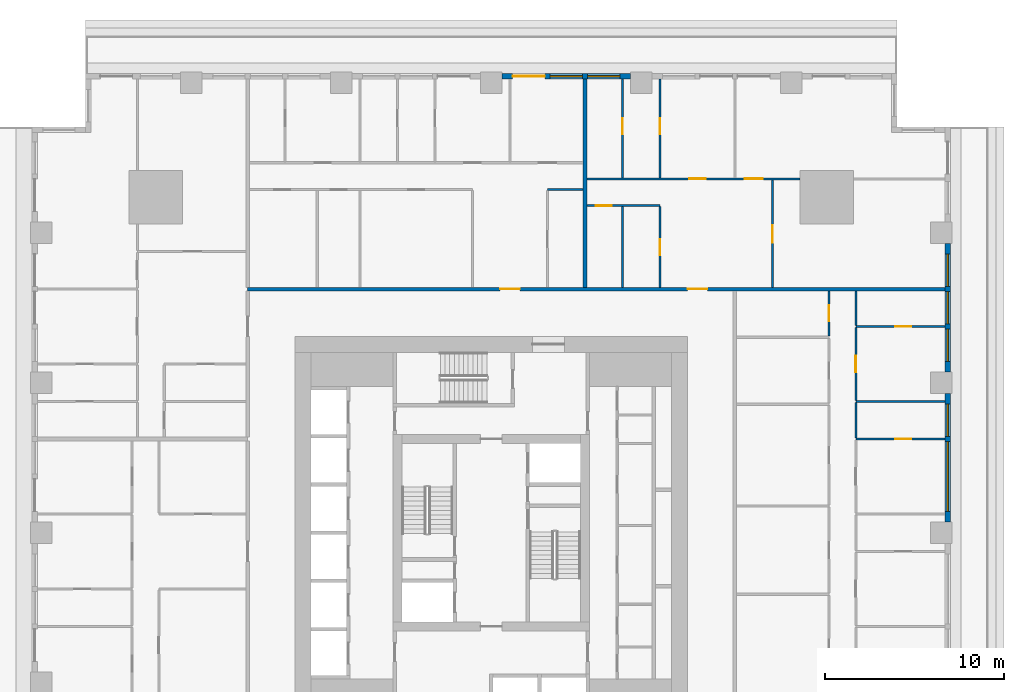
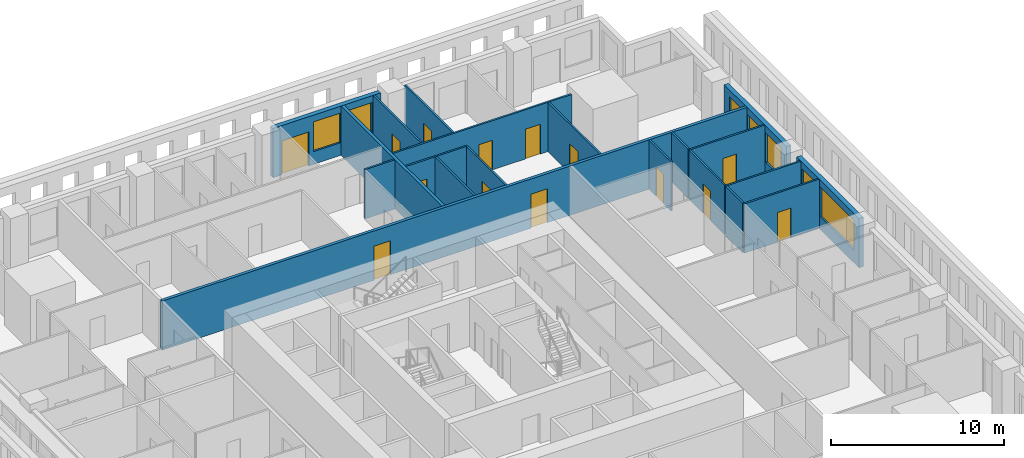
# One storey, part 9 of 15: 20 walls, 14 doors, 7 windows, 21 openings.
"""IFC4 building model written with IfcOpenShell, lengths in metres."""

from ifc_helpers import new_model, si_unit, direction, frame, frame_2d, origin, place, context, subcontext, project, spatial, rectangle, extrude, material, layer, layer_set, type_object, element, fill, save


model = new_model("IFC4")

# Units and contexts
model_context = context("Model", 3, precision=1e-05, world=origin(), true_north=direction((0.0, 1.0)))
body_context = subcontext(model_context, "Body", "Model", "MODEL_VIEW")
ifc_project = project(units=[si_unit("LENGTHUNIT", "METRE"), si_unit("AREAUNIT", "SQUARE_METRE"), si_unit("VOLUMEUNIT", "CUBIC_METRE"), si_unit("PLANEANGLEUNIT", "RADIAN"), si_unit("MASSUNIT", "GRAM", prefix="KILO")], contexts=[model_context])

# Site, building, storey
site_placement = place(None, origin())
site = spatial("IfcSite", under=ifc_project, at=site_placement, CompositionType="ELEMENT")
building_placement = place(site_placement, origin())
building = spatial("IfcBuilding", under=site, at=building_placement, Name="Khepri Terraces", CompositionType="ELEMENT")
storey_placement = place(building_placement, frame((0.0, 0.0, 50.39990234375)))
storey = spatial("IfcBuildingStorey", under=building, at=storey_placement, Name="L11", CompositionType="ELEMENT", Elevation=50.39990234375)

# Wall, openings, doors
ifc_material_1 = material(Name="Fire-rated gypsum plasterboard partition, mineral wool")
ifc_layer_1 = layer(ifc_material_1, 0.199951171875, Name="Fire-rated gypsum plasterboard partition, mineral wool")
ifc_layer_set_1 = layer_set([ifc_layer_1], Name="Fire-rated gypsum plasterboard partition, mineral wool")
wall_type_1 = type_object("IfcWallType", Name="WL-CORR-200", PredefinedType="PARTITIONING", material=ifc_layer_set_1)
wall_1_placement = place(storey_placement, frame((-13.64990234375, 13.64990234375, 0.0), z_axis=(0.0, 0.0, 1.0), x_axis=(1.0, 0.0, 0.0)))
wall_1 = element("IfcWall", 1, at=wall_1_placement, inside=storey, type_object=wall_type_1, Name="Partition P-082 L11", PredefinedType="PARTITIONING", context=body_context, shape_type="SweptSolid", body=[
    extrude(rectangle(XDim=39.06982421875, YDim=0.199951171875, at=frame_2d((19.534912109375, 0.0))), origin(), (0.0, 0.0, 1.0), 3.47998046875),
])
opening_1_placement = place(wall_1_placement, frame((24.64990234375, 0.0, 0.0)))
opening_1 = element("IfcOpeningElement", 2, at=opening_1_placement, cuts=wall_1, Name="Opening D1", PredefinedType="OPENING", context=body_context, shape_type="SweptSolid", body=[
    extrude(rectangle(XDim=1.10009765625, YDim=2.39990234375, at=frame_2d((0.550048828125, 1.199951171875))), frame((0.0, 0.10986328125, 0.0), z_axis=(0.0, -1.0, 0.0), x_axis=(1.0, 0.0, 0.0)), (0.0, 0.0, 1.0), 0.219970703125),
])
opening_2_placement = place(wall_1_placement, frame((14.14990234375, 0.0, 0.0)))
opening_2 = element("IfcOpeningElement", 3, at=opening_2_placement, cuts=wall_1, Name="Opening D1", PredefinedType="OPENING", context=body_context, shape_type="SweptSolid", body=[
    extrude(rectangle(XDim=1.10009765625, YDim=2.39990234375, at=frame_2d((0.550048828125, 1.199951171875))), frame((0.0, 0.10986328125, 0.0), z_axis=(0.0, -1.0, 0.0), x_axis=(1.0, 0.0, 0.0)), (0.0, 0.0, 1.0), 0.219970703125),
])
ifc_material_2 = material(Name="Solid-core timber door leaf, flat entrance door", Category="wood")
door_type_1 = type_object("IfcDoorType", Name="DR-ENT-1100", OperationType="NOTDEFINED", PredefinedType="DOOR", material=ifc_material_2)
door_1_placement = place(opening_1_placement, origin())
door_1 = element("IfcDoor", 4, at=door_1_placement, inside=storey, type_object=door_type_1, Name="Flat C1 entrance door", OperationType="SINGLE_SWING_RIGHT", OverallHeight=2.39990234375, OverallWidth=1.10009765625, PredefinedType="DOOR", context=body_context, shape_type="SweptSolid", body=[
    extrude(rectangle(XDim=1.10009765625, YDim=2.39990234375, at=frame_2d((0.550048828125, 1.199951171875))), frame((0.0, 0.02490234375, 0.0), z_axis=(0.0, -1.0, 0.0), x_axis=(1.0, 0.0, 0.0)), (0.0, 0.0, 1.0), 0.050048828125),
])
fill(opening_1, door_1)
door_2_placement = place(opening_2_placement, origin())
door_2 = element("IfcDoor", 5, at=door_2_placement, inside=storey, type_object=door_type_1, Name="Flat C2 entrance door", OperationType="SINGLE_SWING_LEFT", OverallHeight=2.39990234375, OverallWidth=1.10009765625, PredefinedType="DOOR", context=body_context, shape_type="SweptSolid", body=[
    extrude(rectangle(XDim=1.10009765625, YDim=2.39990234375, at=frame_2d((0.550048828125, 1.199951171875))), frame((0.0, 0.02490234375, 0.0), z_axis=(0.0, -1.0, 0.0), x_axis=(1.0, 0.0, 0.0)), (0.0, 0.0, 1.0), 0.050048828125),
])
fill(opening_2, door_2)

# Wall
wall_2_placement = place(storey_placement, frame((5.25, 13.75, 0.0), z_axis=(0.0, 0.0, 1.0), x_axis=(0.0, 1.0, 0.0)))
element("IfcWall", 6, at=wall_2_placement, inside=storey, type_object=wall_type_1, Name="Partition P-089 L11", PredefinedType="PARTITIONING", context=body_context, shape_type="SweptSolid", body=[
    extrude(rectangle(XDim=11.669921875, YDim=0.199951171875, at=frame_2d((5.8349609375, 0.0))), origin(), (0.0, 0.0, 1.0), 3.47998046875),
])

# Wall, openings, windows
ifc_material_3 = material(Name="Precast concrete C50/60 warm stone", Category="masonry")
ifc_layer_2 = layer(ifc_material_3, 0.300048828125, Name="Precast concrete C50/60 warm stone", Category="masonry")
ifc_layer_set_2 = layer_set([ifc_layer_2], Name="Precast concrete C50/60 warm stone")
wall_type_2 = type_object("IfcWallType", Name="WL-EXT-PRECAST-300", PredefinedType="STANDARD", material=ifc_layer_set_2)
wall_3_placement = place(storey_placement, frame((25.570068359375, 0.60009765625, 0.0), z_axis=(0.0, 0.0, 1.0), x_axis=(0.0, 1.0, 0.0)))
wall_3 = element("IfcWall", 7, at=wall_3_placement, inside=storey, type_object=wall_type_2, Name="External wall L11 E", PredefinedType="STANDARD", context=body_context, shape_type="SweptSolid", body=[
    extrude(rectangle(XDim=7.199951171875, YDim=0.300048828125, at=frame_2d((3.60009765625, 0.0))), origin(), (0.0, 0.0, 1.0), 3.47998046875),
])
opening_3_placement = place(wall_3_placement, frame((0.60009765625, 0.0, 0.89990234375)))
opening_3 = element("IfcOpeningElement", 8, at=opening_3_placement, cuts=wall_3, Name="Opening W2", PredefinedType="OPENING", context=body_context, shape_type="SweptSolid", body=[
    extrude(rectangle(XDim=3.89990234375, YDim=2.10009765625, at=frame_2d((1.949951171875, 1.050048828125))), frame((0.0, 0.16015625, 0.0), z_axis=(0.0, -1.0, 0.0), x_axis=(1.0, 0.0, 0.0)), (0.0, 0.0, 1.0), 0.320068359375),
])
opening_4_placement = place(wall_3_placement, frame((4.800048828125, 0.0, 0.89990234375)))
opening_4 = element("IfcOpeningElement", 9, at=opening_4_placement, cuts=wall_3, Name="Opening W1", PredefinedType="OPENING", context=body_context, shape_type="SweptSolid", body=[
    extrude(rectangle(XDim=1.800048828125, YDim=2.10009765625, at=frame_2d((0.89990234375, 1.050048828125))), frame((0.0, 0.16015625, 0.0), z_axis=(0.0, -1.0, 0.0), x_axis=(1.0, 0.0, 0.0)), (0.0, 0.0, 1.0), 0.320068359375),
])
ifc_material_4 = material(Name="Clear glass", Category="glass")
window_type_1 = type_object("IfcWindowType", Name="WIN-RES-1800x2100", PartitioningType="SINGLE_PANEL", PredefinedType="WINDOW", material=ifc_material_4)
window_1_placement = place(opening_4_placement, origin())
window_1 = element("IfcWindow", 10, at=window_1_placement, inside=storey, type_object=window_type_1, Name="Window L11 E", OverallHeight=2.10009765625, OverallWidth=1.800048828125, PartitioningType="SINGLE_PANEL", PredefinedType="WINDOW", context=body_context, shape_type="SweptSolid", body=[
    extrude(rectangle(XDim=1.800048828125, YDim=2.10009765625, at=frame_2d((0.89990234375, 1.050048828125))), frame((0.0, 0.030029296875, 0.0), z_axis=(0.0, -1.0, 0.0), x_axis=(1.0, 0.0, 0.0)), (0.0, 0.0, 1.0), 0.06005859375),
])
fill(opening_4, window_1)
window_type_2 = type_object("IfcWindowType", Name="WIN-RES-3900x2100", PartitioningType="SINGLE_PANEL", PredefinedType="WINDOW", material=ifc_material_4)
window_2_placement = place(opening_3_placement, origin())
window_2 = element("IfcWindow", 11, at=window_2_placement, inside=storey, type_object=window_type_2, Name="Window L11 E", OverallHeight=2.10009765625, OverallWidth=3.89990234375, PartitioningType="SINGLE_PANEL", PredefinedType="WINDOW", context=body_context, shape_type="SweptSolid", body=[
    extrude(rectangle(XDim=3.89990234375, YDim=2.10009765625, at=frame_2d((1.949951171875, 1.050048828125))), frame((0.0, 0.030029296875, 0.0), z_axis=(0.0, -1.0, 0.0), x_axis=(1.0, 0.0, 0.0)), (0.0, 0.0, 1.0), 0.06005859375),
])
fill(opening_3, window_2)

wall_4_placement = place(storey_placement, frame((25.570068359375, 9.0, 0.0), z_axis=(0.0, 0.0, 1.0), x_axis=(0.0, 1.0, 0.0)))
wall_4 = element("IfcWall", 12, at=wall_4_placement, inside=storey, type_object=wall_type_2, Name="External wall L11 E", PredefinedType="STANDARD", context=body_context, shape_type="SweptSolid", body=[
    extrude(rectangle(XDim=7.199951171875, YDim=0.300048828125, at=frame_2d((3.60009765625, 0.0))), origin(), (0.0, 0.0, 1.0), 3.47998046875),
])
opening_5_placement = place(wall_4_placement, frame((0.60009765625, 0.0, 0.89990234375)))
opening_5 = element("IfcOpeningElement", 13, at=opening_5_placement, cuts=wall_4, Name="Opening W1", PredefinedType="OPENING", context=body_context, shape_type="SweptSolid", body=[
    extrude(rectangle(XDim=1.800048828125, YDim=2.10009765625, at=frame_2d((0.89990234375, 1.050048828125))), frame((0.0, 0.16015625, 0.0), z_axis=(0.0, -1.0, 0.0), x_axis=(1.0, 0.0, 0.0)), (0.0, 0.0, 1.0), 0.320068359375),
])
opening_6_placement = place(wall_4_placement, frame((2.699951171875, 0.0, 0.89990234375)))
opening_6 = element("IfcOpeningElement", 14, at=opening_6_placement, cuts=wall_4, Name="Opening W1", PredefinedType="OPENING", context=body_context, shape_type="SweptSolid", body=[
    extrude(rectangle(XDim=1.800048828125, YDim=2.10009765625, at=frame_2d((0.89990234375, 1.050048828125))), frame((0.0, 0.16015625, 0.0), z_axis=(0.0, -1.0, 0.0), x_axis=(1.0, 0.0, 0.0)), (0.0, 0.0, 1.0), 0.320068359375),
])
opening_7_placement = place(wall_4_placement, frame((4.800048828125, 0.0, 0.89990234375)))
opening_7 = element("IfcOpeningElement", 15, at=opening_7_placement, cuts=wall_4, Name="Opening W1", PredefinedType="OPENING", context=body_context, shape_type="SweptSolid", body=[
    extrude(rectangle(XDim=1.800048828125, YDim=2.10009765625, at=frame_2d((0.89990234375, 1.050048828125))), frame((0.0, 0.16015625, 0.0), z_axis=(0.0, -1.0, 0.0), x_axis=(1.0, 0.0, 0.0)), (0.0, 0.0, 1.0), 0.320068359375),
])
window_3_placement = place(opening_5_placement, origin())
window_3 = element("IfcWindow", 16, at=window_3_placement, inside=storey, type_object=window_type_1, Name="Window L11 E", OverallHeight=2.10009765625, OverallWidth=1.800048828125, PartitioningType="SINGLE_PANEL", PredefinedType="WINDOW", context=body_context, shape_type="SweptSolid", body=[
    extrude(rectangle(XDim=1.800048828125, YDim=2.10009765625, at=frame_2d((0.89990234375, 1.050048828125))), frame((0.0, 0.030029296875, 0.0), z_axis=(0.0, -1.0, 0.0), x_axis=(1.0, 0.0, 0.0)), (0.0, 0.0, 1.0), 0.06005859375),
])
fill(opening_5, window_3)
window_4_placement = place(opening_6_placement, origin())
window_4 = element("IfcWindow", 17, at=window_4_placement, inside=storey, type_object=window_type_1, Name="Window L11 E", OverallHeight=2.10009765625, OverallWidth=1.800048828125, PartitioningType="SINGLE_PANEL", PredefinedType="WINDOW", context=body_context, shape_type="SweptSolid", body=[
    extrude(rectangle(XDim=1.800048828125, YDim=2.10009765625, at=frame_2d((0.89990234375, 1.050048828125))), frame((0.0, 0.030029296875, 0.0), z_axis=(0.0, -1.0, 0.0), x_axis=(1.0, 0.0, 0.0)), (0.0, 0.0, 1.0), 0.06005859375),
])
fill(opening_6, window_4)
window_5_placement = place(opening_7_placement, origin())
window_5 = element("IfcWindow", 18, at=window_5_placement, inside=storey, type_object=window_type_1, Name="Window L11 E", OverallHeight=2.10009765625, OverallWidth=1.800048828125, PartitioningType="SINGLE_PANEL", PredefinedType="WINDOW", context=body_context, shape_type="SweptSolid", body=[
    extrude(rectangle(XDim=1.800048828125, YDim=2.10009765625, at=frame_2d((0.89990234375, 1.050048828125))), frame((0.0, 0.030029296875, 0.0), z_axis=(0.0, -1.0, 0.0), x_axis=(1.0, 0.0, 0.0)), (0.0, 0.0, 1.0), 0.06005859375),
])
fill(opening_7, window_5)

# Wall, openings, door, windows
wall_5_placement = place(storey_placement, frame((7.800048828125, 25.570068359375, 0.0), z_axis=(0.0, 0.0, 1.0), x_axis=(-1.0, 0.0, 0.0)))
wall_5 = element("IfcWall", 19, at=wall_5_placement, inside=storey, type_object=wall_type_2, Name="External wall L11 N", PredefinedType="STANDARD", context=body_context, shape_type="SweptSolid", body=[
    extrude(rectangle(XDim=7.199951171875, YDim=0.300048828125, at=frame_2d((3.60009765625, 0.0))), origin(), (0.0, 0.0, 1.0), 3.47998046875),
])
opening_8_placement = place(wall_5_placement, frame((0.60009765625, 0.0, 0.89990234375)))
opening_8 = element("IfcOpeningElement", 20, at=opening_8_placement, cuts=wall_5, Name="Opening W1", PredefinedType="OPENING", context=body_context, shape_type="SweptSolid", body=[
    extrude(rectangle(XDim=1.800048828125, YDim=2.10009765625, at=frame_2d((0.89990234375, 1.050048828125))), frame((0.0, 0.16015625, 0.0), z_axis=(0.0, -1.0, 0.0), x_axis=(1.0, 0.0, 0.0)), (0.0, 0.0, 1.0), 0.320068359375),
])
opening_9_placement = place(wall_5_placement, frame((2.699951171875, 0.0, 0.89990234375)))
opening_9 = element("IfcOpeningElement", 21, at=opening_9_placement, cuts=wall_5, Name="Opening W1", PredefinedType="OPENING", context=body_context, shape_type="SweptSolid", body=[
    extrude(rectangle(XDim=1.800048828125, YDim=2.10009765625, at=frame_2d((0.89990234375, 1.050048828125))), frame((0.0, 0.16015625, 0.0), z_axis=(0.0, -1.0, 0.0), x_axis=(1.0, 0.0, 0.0)), (0.0, 0.0, 1.0), 0.320068359375),
])
opening_10_placement = place(wall_5_placement, frame((4.800048828125, 0.0, 0.0)))
opening_10 = element("IfcOpeningElement", 22, at=opening_10_placement, cuts=wall_5, Name="Opening ED-L11-08", PredefinedType="OPENING", context=body_context, shape_type="SweptSolid", body=[
    extrude(rectangle(XDim=1.800048828125, YDim=2.39990234375, at=frame_2d((0.89990234375, 1.199951171875))), frame((0.0, 0.16015625, 0.0), z_axis=(0.0, -1.0, 0.0), x_axis=(1.0, 0.0, 0.0)), (0.0, 0.0, 1.0), 0.320068359375),
])
ifc_material_5 = material(Name="Anodised aluminium bronze glazed door", Category="aluminium")
door_type_2 = type_object("IfcDoorType", Name="DR-BAL-SLIDE-1800x2400", OperationType="NOTDEFINED", PredefinedType="DOOR", material=ifc_material_5)
door_3_placement = place(opening_10_placement, origin())
door_3 = element("IfcDoor", 23, at=door_3_placement, inside=storey, type_object=door_type_2, Name="Balcony door L11 N", OperationType="SLIDING_TO_RIGHT", OverallHeight=2.39990234375, OverallWidth=1.800048828125, PredefinedType="DOOR", context=body_context, shape_type="SweptSolid", body=[
    extrude(rectangle(XDim=1.800048828125, YDim=2.39990234375, at=frame_2d((0.89990234375, 1.199951171875))), frame((0.0, 0.02490234375, 0.0), z_axis=(0.0, -1.0, 0.0), x_axis=(1.0, 0.0, 0.0)), (0.0, 0.0, 1.0), 0.050048828125),
])
fill(opening_10, door_3)
window_6_placement = place(opening_8_placement, origin())
window_6 = element("IfcWindow", 24, at=window_6_placement, inside=storey, type_object=window_type_1, Name="Window L11 N", OverallHeight=2.10009765625, OverallWidth=1.800048828125, PartitioningType="SINGLE_PANEL", PredefinedType="WINDOW", context=body_context, shape_type="SweptSolid", body=[
    extrude(rectangle(XDim=1.800048828125, YDim=2.10009765625, at=frame_2d((0.89990234375, 1.050048828125))), frame((0.0, 0.030029296875, 0.0), z_axis=(0.0, -1.0, 0.0), x_axis=(1.0, 0.0, 0.0)), (0.0, 0.0, 1.0), 0.06005859375),
])
fill(opening_8, window_6)
window_7_placement = place(opening_9_placement, origin())
window_7 = element("IfcWindow", 25, at=window_7_placement, inside=storey, type_object=window_type_1, Name="Window L11 N", OverallHeight=2.10009765625, OverallWidth=1.800048828125, PartitioningType="SINGLE_PANEL", PredefinedType="WINDOW", context=body_context, shape_type="SweptSolid", body=[
    extrude(rectangle(XDim=1.800048828125, YDim=2.10009765625, at=frame_2d((0.89990234375, 1.050048828125))), frame((0.0, 0.030029296875, 0.0), z_axis=(0.0, -1.0, 0.0), x_axis=(1.0, 0.0, 0.0)), (0.0, 0.0, 1.0), 0.06005859375),
])
fill(opening_9, window_7)

# Wall, opening, door
ifc_material_6 = material(Name="Gypsum plasterboard partition")
ifc_layer_3 = layer(ifc_material_6, 0.1201171875, Name="Gypsum plasterboard partition")
ifc_layer_set_3 = layer_set([ifc_layer_3], Name="Gypsum plasterboard partition")
wall_type_3 = type_object("IfcWallType", Name="WL-PART-120", PredefinedType="PARTITIONING", material=ifc_layer_set_3)
wall_6_placement = place(storey_placement, frame((20.419921875, 5.25, 0.0), z_axis=(0.0, 0.0, 1.0), x_axis=(1.0, 0.0, 0.0)))
wall_6 = element("IfcWall", 26, at=wall_6_placement, inside=storey, type_object=wall_type_3, Name="Partition P-061 L11", PredefinedType="PARTITIONING", context=body_context, shape_type="SweptSolid", body=[
    extrude(rectangle(XDim=5.0, YDim=0.1201171875, at=frame_2d((2.5, 0.0))), origin(), (0.0, 0.0, 1.0), 3.47998046875),
])
opening_11_placement = place(wall_6_placement, frame((2.199951171875, 0.0, 0.0)))
opening_11 = element("IfcOpeningElement", 27, at=opening_11_placement, cuts=wall_6, Name="Opening D4", PredefinedType="OPENING", context=body_context, shape_type="SweptSolid", body=[
    extrude(rectangle(XDim=0.89990234375, YDim=2.10009765625, at=frame_2d((0.449951171875, 1.050048828125))), frame((0.0, 0.070068359375, 0.0), z_axis=(0.0, -1.0, 0.0), x_axis=(1.0, 0.0, 0.0)), (0.0, 0.0, 1.0), 0.14013671875),
])
ifc_material_7 = material(Name="Timber door leaf, moisture resistant", Category="wood")
door_type_3 = type_object("IfcDoorType", Name="DR-WET-900", OperationType="NOTDEFINED", PredefinedType="DOOR", material=ifc_material_7)
door_4_placement = place(opening_11_placement, origin())
door_4 = element("IfcDoor", 28, at=door_4_placement, inside=storey, type_object=door_type_3, Name="Door Bathroom", OperationType="SINGLE_SWING_RIGHT", OverallHeight=2.10009765625, OverallWidth=0.89990234375, PredefinedType="DOOR", context=body_context, shape_type="SweptSolid", body=[
    extrude(rectangle(XDim=0.89990234375, YDim=2.10009765625, at=frame_2d((0.449951171875, 1.050048828125))), frame((0.0, 0.02490234375, 0.0), z_axis=(0.0, -1.0, 0.0), x_axis=(1.0, 0.0, 0.0)), (0.0, 0.0, 1.0), 0.050048828125),
])
fill(opening_11, door_4)

# Walls
wall_7_placement = place(storey_placement, frame((20.419921875, 5.31005859375, 0.0), z_axis=(0.0, 0.0, 1.0), x_axis=(0.0, 1.0, 0.0)))
element("IfcWall", 29, at=wall_7_placement, inside=storey, type_object=wall_type_3, Name="Partition P-062 L11", PredefinedType="PARTITIONING", context=body_context, shape_type="SweptSolid", body=[
    extrude(rectangle(XDim=1.97998046875, YDim=0.1201171875, at=frame_2d((0.989990234375, 0.0))), origin(), (0.0, 0.0, 1.0), 3.47998046875),
])
wall_8_placement = place(storey_placement, frame((20.419921875, 7.35009765625, 0.0), z_axis=(0.0, 0.0, 1.0), x_axis=(1.0, 0.0, 0.0)))
element("IfcWall", 30, at=wall_8_placement, inside=storey, type_object=wall_type_3, Name="Partition P-070 L11", PredefinedType="PARTITIONING", context=body_context, shape_type="SweptSolid", body=[
    extrude(rectangle(XDim=5.0, YDim=0.1201171875, at=frame_2d((2.5, 0.0))), origin(), (0.0, 0.0, 1.0), 3.47998046875),
])

# Wall, opening, door
wall_9_placement = place(storey_placement, frame((20.419921875, 7.409912109375, 0.0), z_axis=(0.0, 0.0, 1.0), x_axis=(0.0, 1.0, 0.0)))
wall_9 = element("IfcWall", 31, at=wall_9_placement, inside=storey, type_object=wall_type_3, Name="Partition P-073 L11", PredefinedType="PARTITIONING", context=body_context, shape_type="SweptSolid", body=[
    extrude(rectangle(XDim=4.080078125, YDim=0.1201171875, at=frame_2d((2.0400390625, 0.0))), origin(), (0.0, 0.0, 1.0), 3.47998046875),
])
opening_12_placement = place(wall_9_placement, frame((1.590087890625, 0.0, 0.0)))
opening_12 = element("IfcOpeningElement", 32, at=opening_12_placement, cuts=wall_9, Name="Opening D3", PredefinedType="OPENING", context=body_context, shape_type="SweptSolid", body=[
    extrude(rectangle(XDim=0.89990234375, YDim=2.10009765625, at=frame_2d((0.449951171875, 1.050048828125))), frame((0.0, 0.070068359375, 0.0), z_axis=(0.0, -1.0, 0.0), x_axis=(1.0, 0.0, 0.0)), (0.0, 0.0, 1.0), 0.14013671875),
])
ifc_material_8 = material(Name="Timber door leaf", Category="wood")
door_type_4 = type_object("IfcDoorType", Name="DR-INT-900", OperationType="NOTDEFINED", PredefinedType="DOOR", material=ifc_material_8)
door_5_placement = place(opening_12_placement, frame((0.89990234375, 0.0, 0.0), z_axis=(0.0, 0.0, 1.0), x_axis=(-1.0, 0.0, 0.0)))
door_5 = element("IfcDoor", 33, at=door_5_placement, inside=storey, type_object=door_type_4, Name="Door Guest Bedroom", OperationType="SINGLE_SWING_RIGHT", OverallHeight=2.10009765625, OverallWidth=0.89990234375, PredefinedType="DOOR", context=body_context, shape_type="SweptSolid", body=[
    extrude(rectangle(XDim=0.89990234375, YDim=2.10009765625, at=frame_2d((0.449951171875, 1.050048828125))), frame((0.0, 0.02490234375, 0.0), z_axis=(0.0, -1.0, 0.0), x_axis=(1.0, 0.0, 0.0)), (0.0, 0.0, 1.0), 0.050048828125),
])
fill(opening_12, door_5)

wall_10_placement = place(storey_placement, frame((18.919921875, 11.010009765625, 0.0), z_axis=(0.0, 0.0, 1.0), x_axis=(0.0, 1.0, 0.0)))
wall_10 = element("IfcWall", 34, at=wall_10_placement, inside=storey, type_object=wall_type_3, Name="Partition P-078 L11", PredefinedType="PARTITIONING", context=body_context, shape_type="SweptSolid", body=[
    extrude(rectangle(XDim=2.5400390625, YDim=0.1201171875, at=frame_2d((1.27001953125, 0.0))), origin(), (0.0, 0.0, 1.0), 3.47998046875),
])
opening_13_placement = place(wall_10_placement, frame((0.840087890625, 0.0, 0.0)))
opening_13 = element("IfcOpeningElement", 35, at=opening_13_placement, cuts=wall_10, Name="Opening D3", PredefinedType="OPENING", context=body_context, shape_type="SweptSolid", body=[
    extrude(rectangle(XDim=0.89990234375, YDim=2.10009765625, at=frame_2d((0.449951171875, 1.050048828125))), frame((0.0, 0.070068359375, 0.0), z_axis=(0.0, -1.0, 0.0), x_axis=(1.0, 0.0, 0.0)), (0.0, 0.0, 1.0), 0.14013671875),
])
door_6_placement = place(opening_13_placement, origin())
door_6 = element("IfcDoor", 36, at=door_6_placement, inside=storey, type_object=door_type_4, Name="Door Utility Room", OperationType="SINGLE_SWING_RIGHT", OverallHeight=2.10009765625, OverallWidth=0.89990234375, PredefinedType="DOOR", context=body_context, shape_type="SweptSolid", body=[
    extrude(rectangle(XDim=0.89990234375, YDim=2.10009765625, at=frame_2d((0.449951171875, 1.050048828125))), frame((0.0, 0.02490234375, 0.0), z_axis=(0.0, -1.0, 0.0), x_axis=(1.0, 0.0, 0.0)), (0.0, 0.0, 1.0), 0.050048828125),
])
fill(opening_13, door_6)

wall_11_placement = place(storey_placement, frame((20.419921875, 11.550048828125, 0.0), z_axis=(0.0, 0.0, 1.0), x_axis=(1.0, 0.0, 0.0)))
wall_11 = element("IfcWall", 37, at=wall_11_placement, inside=storey, type_object=wall_type_3, Name="Partition P-079 L11", PredefinedType="PARTITIONING", context=body_context, shape_type="SweptSolid", body=[
    extrude(rectangle(XDim=5.0, YDim=0.1201171875, at=frame_2d((2.5, 0.0))), origin(), (0.0, 0.0, 1.0), 3.47998046875),
])
opening_14_placement = place(wall_11_placement, frame((2.199951171875, 0.0, 0.0)))
opening_14 = element("IfcOpeningElement", 38, at=opening_14_placement, cuts=wall_11, Name="Opening D4", PredefinedType="OPENING", context=body_context, shape_type="SweptSolid", body=[
    extrude(rectangle(XDim=0.89990234375, YDim=2.10009765625, at=frame_2d((0.449951171875, 1.050048828125))), frame((0.0, 0.070068359375, 0.0), z_axis=(0.0, -1.0, 0.0), x_axis=(1.0, 0.0, 0.0)), (0.0, 0.0, 1.0), 0.14013671875),
])
door_7_placement = place(opening_14_placement, origin())
door_7 = element("IfcDoor", 39, at=door_7_placement, inside=storey, type_object=door_type_3, Name="Door Bathroom", OperationType="SINGLE_SWING_RIGHT", OverallHeight=2.10009765625, OverallWidth=0.89990234375, PredefinedType="DOOR", context=body_context, shape_type="SweptSolid", body=[
    extrude(rectangle(XDim=0.89990234375, YDim=2.10009765625, at=frame_2d((0.449951171875, 1.050048828125))), frame((0.0, 0.02490234375, 0.0), z_axis=(0.0, -1.0, 0.0), x_axis=(1.0, 0.0, 0.0)), (0.0, 0.0, 1.0), 0.050048828125),
])
fill(opening_14, door_7)

# Walls
wall_12_placement = place(storey_placement, frame((20.419921875, 11.610107421875, 0.0), z_axis=(0.0, 0.0, 1.0), x_axis=(0.0, 1.0, 0.0)))
element("IfcWall", 40, at=wall_12_placement, inside=storey, type_object=wall_type_3, Name="Partition P-080 L11", PredefinedType="PARTITIONING", context=body_context, shape_type="SweptSolid", body=[
    extrude(rectangle(XDim=1.93994140625, YDim=0.1201171875, at=frame_2d((0.969970703125, 0.0))), origin(), (0.0, 0.0, 1.0), 3.47998046875),
])
wall_13_placement = place(storey_placement, frame((7.35009765625, 13.75, 0.0), z_axis=(0.0, 0.0, 1.0), x_axis=(0.0, 1.0, 0.0)))
element("IfcWall", 41, at=wall_13_placement, inside=storey, type_object=wall_type_3, Name="Partition P-090 L11", PredefinedType="PARTITIONING", context=body_context, shape_type="SweptSolid", body=[
    extrude(rectangle(XDim=4.510009765625, YDim=0.1201171875, at=frame_2d((2.2548828125, 0.0))), origin(), (0.0, 0.0, 1.0), 3.47998046875),
])

# Wall, opening, door
wall_14_placement = place(storey_placement, frame((9.449951171875, 13.75, 0.0), z_axis=(0.0, 0.0, 1.0), x_axis=(0.0, 1.0, 0.0)))
wall_14 = element("IfcWall", 42, at=wall_14_placement, inside=storey, type_object=wall_type_3, Name="Partition P-091 L11", PredefinedType="PARTITIONING", context=body_context, shape_type="SweptSolid", body=[
    extrude(rectangle(XDim=4.510009765625, YDim=0.1201171875, at=frame_2d((2.2548828125, 0.0))), origin(), (0.0, 0.0, 1.0), 3.47998046875),
])
opening_15_placement = place(wall_14_placement, frame((1.784912109375, 0.0, 0.0)))
opening_15 = element("IfcOpeningElement", 43, at=opening_15_placement, cuts=wall_14, Name="Opening D4", PredefinedType="OPENING", context=body_context, shape_type="SweptSolid", body=[
    extrude(rectangle(XDim=0.89990234375, YDim=2.10009765625, at=frame_2d((0.449951171875, 1.050048828125))), frame((0.0, 0.070068359375, 0.0), z_axis=(0.0, -1.0, 0.0), x_axis=(1.0, 0.0, 0.0)), (0.0, 0.0, 1.0), 0.14013671875),
])
door_8_placement = place(opening_15_placement, origin())
door_8 = element("IfcDoor", 44, at=door_8_placement, inside=storey, type_object=door_type_3, Name="Door Guest Bathroom", OperationType="SINGLE_SWING_LEFT", OverallHeight=2.10009765625, OverallWidth=0.89990234375, PredefinedType="DOOR", context=body_context, shape_type="SweptSolid", body=[
    extrude(rectangle(XDim=0.89990234375, YDim=2.10009765625, at=frame_2d((0.449951171875, 1.050048828125))), frame((0.0, 0.02490234375, 0.0), z_axis=(0.0, -1.0, 0.0), x_axis=(1.0, 0.0, 0.0)), (0.0, 0.0, 1.0), 0.050048828125),
])
fill(opening_15, door_8)

wall_15_placement = place(storey_placement, frame((15.75, 13.75, 0.0), z_axis=(0.0, 0.0, 1.0), x_axis=(0.0, 1.0, 0.0)))
wall_15 = element("IfcWall", 45, at=wall_15_placement, inside=storey, type_object=wall_type_3, Name="Partition P-092 L11", PredefinedType="PARTITIONING", context=body_context, shape_type="SweptSolid", body=[
    extrude(rectangle(XDim=6.010009765625, YDim=0.1201171875, at=frame_2d((3.0048828125, 0.0))), origin(), (0.0, 0.0, 1.0), 3.47998046875),
])
opening_16_placement = place(wall_15_placement, frame((2.485107421875, 0.0, 0.0)))
opening_16 = element("IfcOpeningElement", 46, at=opening_16_placement, cuts=wall_15, Name="Opening D2", PredefinedType="OPENING", context=body_context, shape_type="SweptSolid", body=[
    extrude(rectangle(XDim=1.0, YDim=2.10009765625, at=frame_2d((0.5, 1.050048828125))), frame((0.0, 0.070068359375, 0.0), z_axis=(0.0, -1.0, 0.0), x_axis=(1.0, 0.0, 0.0)), (0.0, 0.0, 1.0), 0.14013671875),
])
ifc_material_9 = material(Name="Timber door leaf, living room door", Category="wood")
door_type_5 = type_object("IfcDoorType", Name="DR-INT-1000", OperationType="NOTDEFINED", PredefinedType="DOOR", material=ifc_material_9)
door_9_placement = place(opening_16_placement, frame((1.0, 0.0, 0.0), z_axis=(0.0, 0.0, 1.0), x_axis=(-1.0, 0.0, 0.0)))
door_9 = element("IfcDoor", 47, at=door_9_placement, inside=storey, type_object=door_type_5, Name="Door Family Room", OperationType="SINGLE_SWING_RIGHT", OverallHeight=2.10009765625, OverallWidth=1.0, PredefinedType="DOOR", context=body_context, shape_type="SweptSolid", body=[
    extrude(rectangle(XDim=1.0, YDim=2.10009765625, at=frame_2d((0.5, 1.050048828125))), frame((0.0, 0.02490234375, 0.0), z_axis=(0.0, -1.0, 0.0), x_axis=(1.0, 0.0, 0.0)), (0.0, 0.0, 1.0), 0.050048828125),
])
fill(opening_16, door_9)

wall_16_placement = place(storey_placement, frame((5.35009765625, 18.320068359375, 0.0), z_axis=(0.0, 0.0, 1.0), x_axis=(1.0, 0.0, 0.0)))
wall_16 = element("IfcWall", 48, at=wall_16_placement, inside=storey, type_object=wall_type_3, Name="Partition P-095 L11", PredefinedType="PARTITIONING", context=body_context, shape_type="SweptSolid", body=[
    extrude(rectangle(XDim=4.099853515625, YDim=0.1201171875, at=frame_2d((2.0498046875, 0.0))), origin(), (0.0, 0.0, 1.0), 3.47998046875),
])
opening_17_placement = place(wall_16_placement, frame((0.5, 0.0, 0.0)))
opening_17 = element("IfcOpeningElement", 49, at=opening_17_placement, cuts=wall_16, Name="Opening D3", PredefinedType="OPENING", context=body_context, shape_type="SweptSolid", body=[
    extrude(rectangle(XDim=0.89990234375, YDim=2.10009765625, at=frame_2d((0.449951171875, 1.050048828125))), frame((0.0, 0.070068359375, 0.0), z_axis=(0.0, -1.0, 0.0), x_axis=(1.0, 0.0, 0.0)), (0.0, 0.0, 1.0), 0.14013671875),
])
door_10_placement = place(opening_17_placement, frame((0.89990234375, 0.0, 0.0), z_axis=(0.0, 0.0, 1.0), x_axis=(-1.0, 0.0, 0.0)))
door_10 = element("IfcDoor", 50, at=door_10_placement, inside=storey, type_object=door_type_4, Name="Door Kitchen", OperationType="SINGLE_SWING_RIGHT", OverallHeight=2.10009765625, OverallWidth=0.89990234375, PredefinedType="DOOR", context=body_context, shape_type="SweptSolid", body=[
    extrude(rectangle(XDim=0.89990234375, YDim=2.10009765625, at=frame_2d((0.449951171875, 1.050048828125))), frame((0.0, 0.02490234375, 0.0), z_axis=(0.0, -1.0, 0.0), x_axis=(1.0, 0.0, 0.0)), (0.0, 0.0, 1.0), 0.050048828125),
])
fill(opening_17, door_10)

# Wall
wall_17_placement = place(storey_placement, frame((3.14990234375, 19.219970703125, 0.0), z_axis=(0.0, 0.0, 1.0), x_axis=(1.0, 0.0, 0.0)))
element("IfcWall", 51, at=wall_17_placement, inside=storey, type_object=wall_type_3, Name="Partition P-097 L11", PredefinedType="PARTITIONING", context=body_context, shape_type="SweptSolid", body=[
    extrude(rectangle(XDim=2.0, YDim=0.1201171875, at=frame_2d((1.0, 0.0))), origin(), (0.0, 0.0, 1.0), 3.47998046875),
])

# Wall, openings, doors
wall_18_placement = place(storey_placement, frame((5.35009765625, 19.820068359375, 0.0), z_axis=(0.0, 0.0, 1.0), x_axis=(1.0, 0.0, 0.0)))
wall_18 = element("IfcWall", 52, at=wall_18_placement, inside=storey, type_object=wall_type_3, Name="Partition P-098 L11", PredefinedType="PARTITIONING", context=body_context, shape_type="SweptSolid", body=[
    extrude(rectangle(XDim=11.949951171875, YDim=0.1201171875, at=frame_2d((5.97509765625, 0.0))), origin(), (0.0, 0.0, 1.0), 3.47998046875),
])
opening_18_placement = place(wall_18_placement, frame((8.85009765625, 0.0, 0.0)))
opening_18 = element("IfcOpeningElement", 53, at=opening_18_placement, cuts=wall_18, Name="Opening D2", PredefinedType="OPENING", context=body_context, shape_type="SweptSolid", body=[
    extrude(rectangle(XDim=1.0, YDim=2.10009765625, at=frame_2d((0.5, 1.050048828125))), frame((0.0, 0.070068359375, 0.0), z_axis=(0.0, -1.0, 0.0), x_axis=(1.0, 0.0, 0.0)), (0.0, 0.0, 1.0), 0.14013671875),
])
opening_19_placement = place(wall_18_placement, frame((5.75, 0.0, 0.0)))
opening_19 = element("IfcOpeningElement", 54, at=opening_19_placement, cuts=wall_18, Name="Opening D3", PredefinedType="OPENING", context=body_context, shape_type="SweptSolid", body=[
    extrude(rectangle(XDim=0.89990234375, YDim=2.10009765625, at=frame_2d((0.449951171875, 1.050048828125))), frame((0.0, 0.070068359375, 0.0), z_axis=(0.0, -1.0, 0.0), x_axis=(1.0, 0.0, 0.0)), (0.0, 0.0, 1.0), 0.14013671875),
])
door_11_placement = place(opening_18_placement, origin())
door_11 = element("IfcDoor", 55, at=door_11_placement, inside=storey, type_object=door_type_5, Name="Door Living Room", OperationType="SINGLE_SWING_RIGHT", OverallHeight=2.10009765625, OverallWidth=1.0, PredefinedType="DOOR", context=body_context, shape_type="SweptSolid", body=[
    extrude(rectangle(XDim=1.0, YDim=2.10009765625, at=frame_2d((0.5, 1.050048828125))), frame((0.0, 0.02490234375, 0.0), z_axis=(0.0, -1.0, 0.0), x_axis=(1.0, 0.0, 0.0)), (0.0, 0.0, 1.0), 0.050048828125),
])
fill(opening_18, door_11)
door_12_placement = place(opening_19_placement, origin())
door_12 = element("IfcDoor", 56, at=door_12_placement, inside=storey, type_object=door_type_4, Name="Door Master Bedroom", OperationType="SINGLE_SWING_RIGHT", OverallHeight=2.10009765625, OverallWidth=0.89990234375, PredefinedType="DOOR", context=body_context, shape_type="SweptSolid", body=[
    extrude(rectangle(XDim=0.89990234375, YDim=2.10009765625, at=frame_2d((0.449951171875, 1.050048828125))), frame((0.0, 0.02490234375, 0.0), z_axis=(0.0, -1.0, 0.0), x_axis=(1.0, 0.0, 0.0)), (0.0, 0.0, 1.0), 0.050048828125),
])
fill(opening_19, door_12)

# Wall, opening, door
wall_19_placement = place(storey_placement, frame((7.35009765625, 19.8798828125, 0.0), z_axis=(0.0, 0.0, 1.0), x_axis=(0.0, 1.0, 0.0)))
wall_19 = element("IfcWall", 57, at=wall_19_placement, inside=storey, type_object=wall_type_3, Name="Partition P-100 L11", PredefinedType="PARTITIONING", context=body_context, shape_type="SweptSolid", body=[
    extrude(rectangle(XDim=5.5400390625, YDim=0.1201171875, at=frame_2d((2.77001953125, 0.0))), origin(), (0.0, 0.0, 1.0), 3.47998046875),
])
opening_20_placement = place(wall_19_placement, frame((2.43994140625, 0.0, 0.0)))
opening_20 = element("IfcOpeningElement", 58, at=opening_20_placement, cuts=wall_19, Name="Opening D4", PredefinedType="OPENING", context=body_context, shape_type="SweptSolid", body=[
    extrude(rectangle(XDim=0.89990234375, YDim=2.10009765625, at=frame_2d((0.449951171875, 1.050048828125))), frame((0.0, 0.070068359375, 0.0), z_axis=(0.0, -1.0, 0.0), x_axis=(1.0, 0.0, 0.0)), (0.0, 0.0, 1.0), 0.14013671875),
])
door_13_placement = place(opening_20_placement, origin())
door_13 = element("IfcDoor", 59, at=door_13_placement, inside=storey, type_object=door_type_3, Name="Door Bathroom", OperationType="SINGLE_SWING_RIGHT", OverallHeight=2.10009765625, OverallWidth=0.89990234375, PredefinedType="DOOR", context=body_context, shape_type="SweptSolid", body=[
    extrude(rectangle(XDim=0.89990234375, YDim=2.10009765625, at=frame_2d((0.449951171875, 1.050048828125))), frame((0.0, 0.02490234375, 0.0), z_axis=(0.0, -1.0, 0.0), x_axis=(1.0, 0.0, 0.0)), (0.0, 0.0, 1.0), 0.050048828125),
])
fill(opening_20, door_13)

wall_20_placement = place(storey_placement, frame((9.449951171875, 19.8798828125, 0.0), z_axis=(0.0, 0.0, 1.0), x_axis=(0.0, 1.0, 0.0)))
wall_20 = element("IfcWall", 60, at=wall_20_placement, inside=storey, type_object=wall_type_3, Name="Partition P-101 L11", PredefinedType="PARTITIONING", context=body_context, shape_type="SweptSolid", body=[
    extrude(rectangle(XDim=5.5400390625, YDim=0.1201171875, at=frame_2d((2.77001953125, 0.0))), origin(), (0.0, 0.0, 1.0), 3.47998046875),
])
opening_21_placement = place(wall_20_placement, frame((2.43994140625, 0.0, 0.0)))
opening_21 = element("IfcOpeningElement", 61, at=opening_21_placement, cuts=wall_20, Name="Opening D3", PredefinedType="OPENING", context=body_context, shape_type="SweptSolid", body=[
    extrude(rectangle(XDim=0.89990234375, YDim=2.10009765625, at=frame_2d((0.449951171875, 1.050048828125))), frame((0.0, 0.070068359375, 0.0), z_axis=(0.0, -1.0, 0.0), x_axis=(1.0, 0.0, 0.0)), (0.0, 0.0, 1.0), 0.14013671875),
])
door_14_placement = place(opening_21_placement, origin())
door_14 = element("IfcDoor", 62, at=door_14_placement, inside=storey, type_object=door_type_4, Name="Door Dressing Room", OperationType="SINGLE_SWING_RIGHT", OverallHeight=2.10009765625, OverallWidth=0.89990234375, PredefinedType="DOOR", context=body_context, shape_type="SweptSolid", body=[
    extrude(rectangle(XDim=0.89990234375, YDim=2.10009765625, at=frame_2d((0.449951171875, 1.050048828125))), frame((0.0, 0.02490234375, 0.0), z_axis=(0.0, -1.0, 0.0), x_axis=(1.0, 0.0, 0.0)), (0.0, 0.0, 1.0), 0.050048828125),
])
fill(opening_21, door_14)

save(model, "model.ifc")
